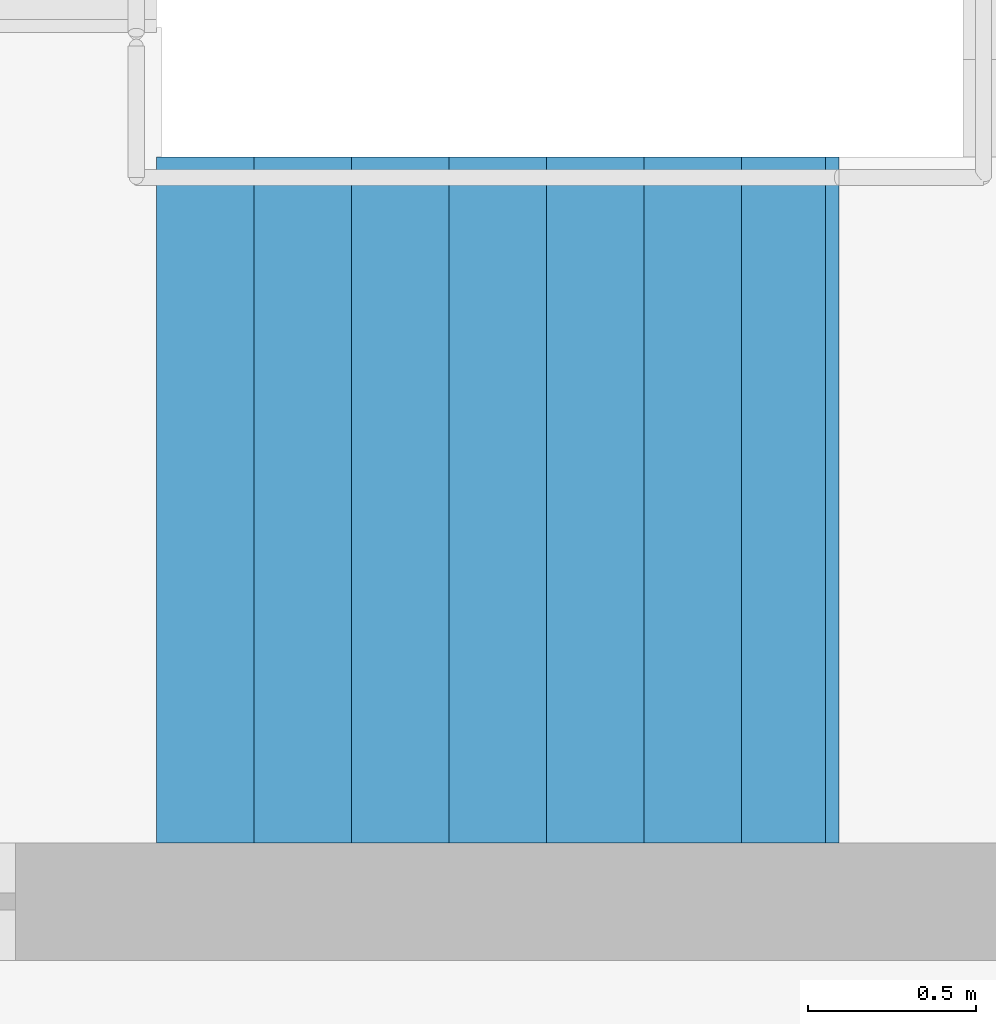
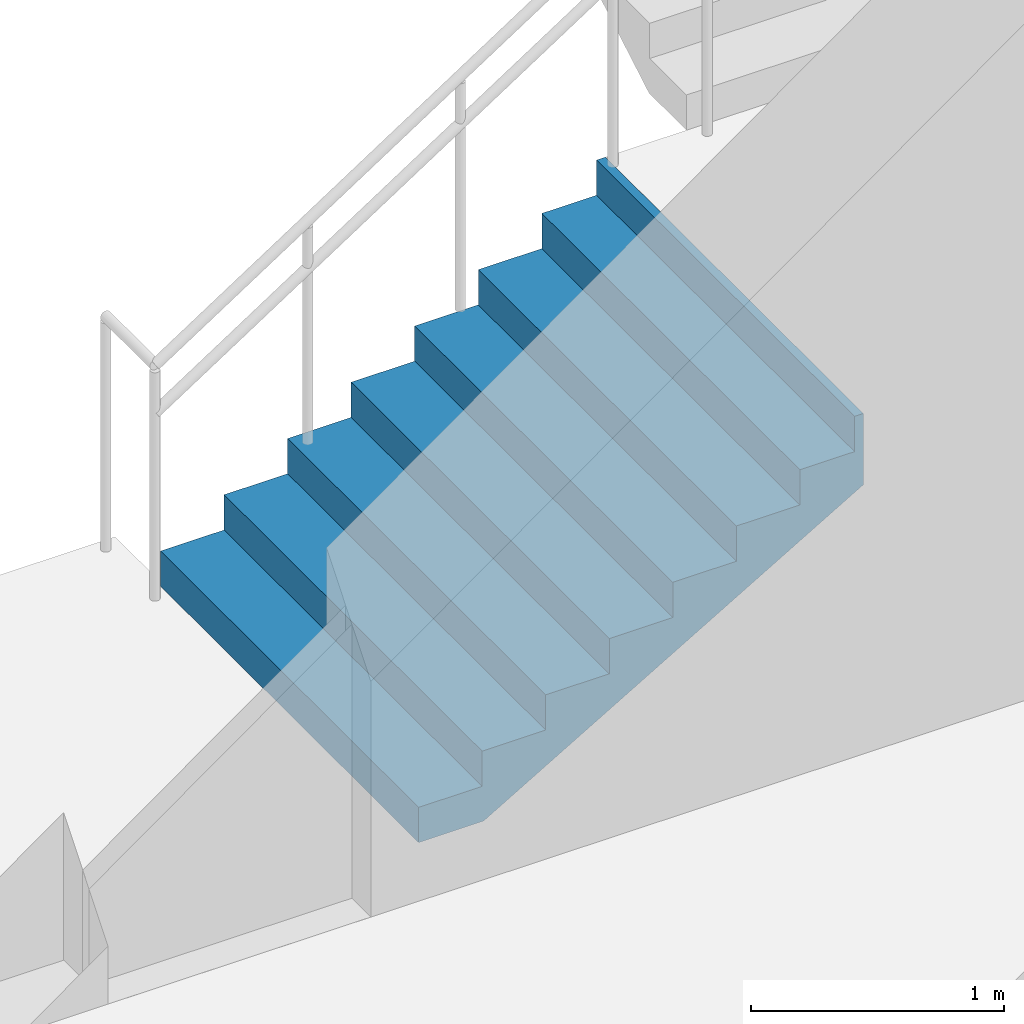
# One storey, part 63 of 74: 1 stair flight, 1 element without a shape of its own.
"""IFC4 building model written with IfcOpenShell, lengths in metres."""

from ifc_helpers import new_model, si_unit, direction, frame, origin, place, context, subcontext, project, spatial, triangles, material, type_object, element, aggregate, save


model = new_model("IFC4")

# Units and contexts
model_context = context("Model", 3, precision=1e-05, world=origin(), true_north=direction((0.0, 1.0)))
body_context = subcontext(model_context, "Body", "Model", "MODEL_VIEW")
ifc_project = project(units=[si_unit("LENGTHUNIT", "METRE"), si_unit("AREAUNIT", "SQUARE_METRE"), si_unit("VOLUMEUNIT", "CUBIC_METRE"), si_unit("PLANEANGLEUNIT", "RADIAN"), si_unit("MASSUNIT", "GRAM", prefix="KILO")], contexts=[model_context])

# Site, building, storey
site_placement = place(None, origin())
site = spatial("IfcSite", under=ifc_project, at=site_placement, CompositionType="ELEMENT")
building_placement = place(site_placement, origin())
building = spatial("IfcBuilding", under=site, at=building_placement, Name="Sillaruma Civic Art Gallery", CompositionType="ELEMENT")
storey_placement = place(building_placement, frame((0.0, 0.0, 5.43994140625)))
storey = spatial("IfcBuildingStorey", under=building, at=storey_placement, Name="L01", CompositionType="ELEMENT", Elevation=5.43994140625)

# Stair, stair flight
ifc_material = material(Name="Concrete H35 (35 MPa)", Category="concrete")
stair_type = type_object("IfcStairType", Name="STR-4F-32", PredefinedType="USERDEFINED", material=ifc_material)
stair_placement = place(storey_placement, origin())
stair = element("IfcStair", 1, at=stair_placement, inside=storey, type_object=stair_type, Name="Protected Exit Stair ST-02 (West Bar North) (L01)", ObjectType="THREE_RETURN_STAIR", PredefinedType="USERDEFINED")
stair_flight_type = type_object("IfcStairFlightType", Name="SFL-STR-8", PredefinedType="STRAIGHT", material=ifc_material)
stair_flight_placement = place(storey_placement, frame((64.800048828125, 81.929931640625, 0.0), z_axis=(0.0, 0.0, 1.0), x_axis=(1.0, 0.0, 0.0)))
stair_flight = element("IfcStairFlight", 2, at=stair_flight_placement, type_object=stair_flight_type, Name="ST-02 flight 1", NumberOfRisers=8, NumberOfTreads=7, PredefinedType="STRAIGHT", RiserHeight=0.17, TreadLength=0.29, context=body_context, shape_type="Tessellation", body=[
    triangles([(0.0, -1.02001953125, 0.0), (0.29, -1.02001953125, 0.0), (0.296443, -1.02001953125, 0.0), (0.58, -1.02001953125, 0.166223), (0.87, -1.02001953125, 0.336223), (1.16, -1.02001953125, 0.506223), (1.45, -1.02001953125, 0.676223), (1.74, -1.02001953125, 0.846223), (1.990029, -1.02001953125, 0.992792), (2.030029, -1.02001953125, 1.01624), (2.030029, -1.02001953125, 1.36), (1.990029, -1.02001953125, 1.36), (1.990029, -1.02001953125, 1.19), (1.74, -1.02001953125, 1.19), (1.74, -1.02001953125, 1.02), (1.45, -1.02001953125, 1.02), (1.45, -1.02001953125, 0.85), (1.16, -1.02001953125, 0.85), (1.16, -1.02001953125, 0.68), (0.87, -1.02001953125, 0.68), (0.87, -1.02001953125, 0.51), (0.58, -1.02001953125, 0.51), (0.58, -1.02001953125, 0.34), (0.296443, -1.02001953125, 0.34), (0.29, -1.02001953125, 0.34), (0.29, -1.02001953125, 0.17), (0.0, -1.02001953125, 0.17), (0.0, -0.05, 0.0), (0.29, -0.05, 0.0), (0.296443, -0.05, 0.0), (0.58, -0.05, 0.166223), (0.87, -0.05, 0.336223), (1.16, -0.05, 0.506223), (1.45, -0.05, 0.676223), (1.74, -0.05, 0.846223), (1.990029, -0.05, 0.992792), (2.030029, -0.05, 1.01624), (2.030029, -0.05, 1.36), (1.990029, -0.05, 1.36), (1.990029, -0.05, 1.19), (1.74, -0.05, 1.19), (1.74, -0.05, 1.02), (1.45, -0.05, 1.02), (1.45, -0.05, 0.85), (1.16, -0.05, 0.85), (1.16, -0.05, 0.68), (0.87, -0.05, 0.68), (0.87, -0.05, 0.51), (0.58, -0.05, 0.51), (0.58, -0.05, 0.34), (0.296443, -0.05, 0.34), (0.29, -0.05, 0.34), (0.29, -0.05, 0.17), (0.0, -0.05, 0.17), (0.0, -0.0375, 0.0), (0.29, -0.0375, 0.0), (0.296443, -0.0375, 0.0), (0.58, -0.0375, 0.166223), (0.87, -0.0375, 0.336223), (1.16, -0.0375, 0.506223), (1.45, -0.0375, 0.676223), (1.74, -0.0375, 0.846223), (1.990029, -0.0375, 0.992792), (2.030029, -0.0375, 1.01624), (2.030029, -0.0375, 1.36), (1.990029, -0.0375, 1.36), (1.990029, -0.0375, 1.19), (1.74, -0.0375, 1.19), (1.74, -0.0375, 1.02), (1.45, -0.0375, 1.02), (1.45, -0.0375, 0.85), (1.16, -0.0375, 0.85), (1.16, -0.0375, 0.68), (0.87, -0.0375, 0.68), (0.87, -0.0375, 0.51), (0.58, -0.0375, 0.51), (0.58, -0.0375, 0.34), (0.296443, -0.0375, 0.34), (0.29, -0.0375, 0.34), (0.29, -0.0375, 0.17), (0.0, -0.0375, 0.17), (0.0, -0.025, 0.0), (0.29, -0.025, 0.0), (0.296443, -0.025, 0.0), (0.58, -0.025, 0.166223), (0.87, -0.025, 0.336223), (1.16, -0.025, 0.506223), (1.45, -0.025, 0.676223), (1.74, -0.025, 0.846223), (1.990029, -0.025, 0.992792), (2.030029, -0.025, 1.01624), (2.030029, -0.025, 1.36), (1.990029, -0.025, 1.36), (1.990029, -0.025, 1.19), (1.74, -0.025, 1.19), (1.74, -0.025, 1.02), (1.45, -0.025, 1.02), (1.45, -0.025, 0.85), (1.16, -0.025, 0.85), (1.16, -0.025, 0.68), (0.87, -0.025, 0.68), (0.87, -0.025, 0.51), (0.58, -0.025, 0.51), (0.58, -0.025, 0.34), (0.296443, -0.025, 0.34), (0.29, -0.025, 0.34), (0.29, -0.025, 0.17), (0.0, -0.025, 0.17), (0.0, -0.0125, 0.0), (0.29, -0.0125, 0.0), (0.296443, -0.0125, 0.0), (0.58, -0.0125, 0.166223), (0.87, -0.0125, 0.336223), (1.16, -0.0125, 0.506223), (1.45, -0.0125, 0.676223), (1.74, -0.0125, 0.846223), (1.990029, -0.0125, 0.992792), (2.030029, -0.0125, 1.01624), (2.030029, -0.0125, 1.36), (1.990029, -0.0125, 1.36), (1.990029, -0.0125, 1.19), (1.74, -0.0125, 1.19), (1.74, -0.0125, 1.02), (1.45, -0.0125, 1.02), (1.45, -0.0125, 0.85), (1.16, -0.0125, 0.85), (1.16, -0.0125, 0.68), (0.87, -0.0125, 0.68), (0.87, -0.0125, 0.51), (0.58, -0.0125, 0.51), (0.58, -0.0125, 0.34), (0.296443, -0.0125, 0.34), (0.29, -0.0125, 0.34), (0.29, -0.0125, 0.17), (0.0, -0.0125, 0.17), (0.0, 0.0, 0.0), (0.29, 0.0, 0.0), (0.296443, 0.0, 0.0), (0.58, 0.0, 0.166223), (0.87, 0.0, 0.336223), (1.16, 0.0, 0.506223), (1.45, 0.0, 0.676223), (1.74, 0.0, 0.846223), (1.990029, 0.0, 0.992792), (2.030029, 0.0, 1.01624), (2.030029, 0.0, 1.36), (1.990029, 0.0, 1.36), (1.990029, 0.0, 1.19), (1.74, 0.0, 1.19), (1.74, 0.0, 1.02), (1.45, 0.0, 1.02), (1.45, 0.0, 0.85), (1.16, 0.0, 0.85), (1.16, 0.0, 0.68), (0.87, 0.0, 0.68), (0.87, 0.0, 0.51), (0.58, 0.0, 0.51), (0.58, 0.0, 0.34), (0.296443, 0.0, 0.34), (0.29, 0.0, 0.34), (0.29, 0.0, 0.17), (0.0, 0.0, 0.17), (0.0, 0.0125, 0.0), (0.29, 0.0125, 0.0), (0.296443, 0.0125, 0.0), (0.58, 0.0125, 0.166223), (0.87, 0.0125, 0.336223), (1.16, 0.0125, 0.506223), (1.45, 0.0125, 0.676223), (1.74, 0.0125, 0.846223), (1.990029, 0.0125, 0.992792), (2.030029, 0.0125, 1.01624), (2.030029, 0.0125, 1.36), (1.990029, 0.0125, 1.36), (1.990029, 0.0125, 1.19), (1.74, 0.0125, 1.19), (1.74, 0.0125, 1.02), (1.45, 0.0125, 1.02), (1.45, 0.0125, 0.85), (1.16, 0.0125, 0.85), (1.16, 0.0125, 0.68), (0.87, 0.0125, 0.68), (0.87, 0.0125, 0.51), (0.58, 0.0125, 0.51), (0.58, 0.0125, 0.34), (0.296443, 0.0125, 0.34), (0.29, 0.0125, 0.34), (0.29, 0.0125, 0.17), (0.0, 0.0125, 0.17), (0.0, 0.025, 0.0), (0.29, 0.025, 0.0), (0.296443, 0.025, 0.0), (0.58, 0.025, 0.166223), (0.87, 0.025, 0.336223), (1.16, 0.025, 0.506223), (1.45, 0.025, 0.676223), (1.74, 0.025, 0.846223), (1.990029, 0.025, 0.992792), (2.030029, 0.025, 1.01624), (2.030029, 0.025, 1.36), (1.990029, 0.025, 1.36), (1.990029, 0.025, 1.19), (1.74, 0.025, 1.19), (1.74, 0.025, 1.02), (1.45, 0.025, 1.02), (1.45, 0.025, 0.85), (1.16, 0.025, 0.85), (1.16, 0.025, 0.68), (0.87, 0.025, 0.68), (0.87, 0.025, 0.51), (0.58, 0.025, 0.51), (0.58, 0.025, 0.34), (0.296443, 0.025, 0.34), (0.29, 0.025, 0.34), (0.29, 0.025, 0.17), (0.0, 0.025, 0.17), (0.0, 0.0375, 0.0), (0.29, 0.0375, 0.0), (0.296443, 0.0375, 0.0), (0.58, 0.0375, 0.166223), (0.87, 0.0375, 0.336223), (1.16, 0.0375, 0.506223), (1.45, 0.0375, 0.676223), (1.74, 0.0375, 0.846223), (1.990029, 0.0375, 0.992792), (2.030029, 0.0375, 1.01624), (2.030029, 0.0375, 1.36), (1.990029, 0.0375, 1.36), (1.990029, 0.0375, 1.19), (1.74, 0.0375, 1.19), (1.74, 0.0375, 1.02), (1.45, 0.0375, 1.02), (1.45, 0.0375, 0.85), (1.16, 0.0375, 0.85), (1.16, 0.0375, 0.68), (0.87, 0.0375, 0.68), (0.87, 0.0375, 0.51), (0.58, 0.0375, 0.51), (0.58, 0.0375, 0.34), (0.296443, 0.0375, 0.34), (0.29, 0.0375, 0.34), (0.29, 0.0375, 0.17), (0.0, 0.0375, 0.17), (0.0, 0.05, 0.0), (0.29, 0.05, 0.0), (0.296443, 0.05, 0.0), (0.58, 0.05, 0.166223), (0.87, 0.05, 0.336223), (1.16, 0.05, 0.506223), (1.45, 0.05, 0.676223), (1.74, 0.05, 0.846223), (1.990029, 0.05, 0.992792), (2.030029, 0.05, 1.01624), (2.030029, 0.05, 1.36), (1.990029, 0.05, 1.36), (1.990029, 0.05, 1.19), (1.74, 0.05, 1.19), (1.74, 0.05, 1.02), (1.45, 0.05, 1.02), (1.45, 0.05, 0.85), (1.16, 0.05, 0.85), (1.16, 0.05, 0.68), (0.87, 0.05, 0.68), (0.87, 0.05, 0.51), (0.58, 0.05, 0.51), (0.58, 0.05, 0.34), (0.296443, 0.05, 0.34), (0.29, 0.05, 0.34), (0.29, 0.05, 0.17), (0.0, 0.05, 0.17), (0.0, 1.02001953125, 0.0), (0.29, 1.02001953125, 0.0), (0.296443, 1.02001953125, 0.0), (0.58, 1.02001953125, 0.166223), (0.87, 1.02001953125, 0.336223), (1.16, 1.02001953125, 0.506223), (1.45, 1.02001953125, 0.676223), (1.74, 1.02001953125, 0.846223), (1.990029, 1.02001953125, 0.992792), (2.030029, 1.02001953125, 1.01624), (2.030029, 1.02001953125, 1.36), (1.990029, 1.02001953125, 1.36), (1.990029, 1.02001953125, 1.19), (1.74, 1.02001953125, 1.19), (1.74, 1.02001953125, 1.02), (1.45, 1.02001953125, 1.02), (1.45, 1.02001953125, 0.85), (1.16, 1.02001953125, 0.85), (1.16, 1.02001953125, 0.68), (0.87, 1.02001953125, 0.68), (0.87, 1.02001953125, 0.51), (0.58, 1.02001953125, 0.51), (0.58, 1.02001953125, 0.34), (0.296443, 1.02001953125, 0.34), (0.29, 1.02001953125, 0.34), (0.29, 1.02001953125, 0.17), (0.0, 1.02001953125, 0.17)], [[1, 2, 26], [1, 26, 27], [2, 3, 24], [2, 24, 26], [26, 24, 25], [3, 4, 23], [3, 23, 24], [4, 5, 21], [4, 21, 23], [23, 21, 22], [5, 6, 19], [5, 19, 21], [21, 19, 20], [6, 7, 17], [6, 17, 19], [19, 17, 18], [7, 8, 15], [7, 15, 17], [17, 15, 16], [8, 9, 13], [8, 13, 15], [15, 13, 14], [9, 10, 11], [9, 11, 13], [13, 11, 12], [296, 272, 271], [297, 296, 271], [294, 273, 272], [296, 294, 272], [295, 294, 296], [293, 274, 273], [294, 293, 273], [291, 275, 274], [293, 291, 274], [292, 291, 293], [289, 276, 275], [291, 289, 275], [290, 289, 291], [287, 277, 276], [289, 287, 276], [288, 287, 289], [285, 278, 277], [287, 285, 277], [286, 285, 287], [283, 279, 278], [285, 283, 278], [284, 283, 285], [281, 280, 279], [283, 281, 279], [282, 281, 283], [2, 1, 28], [2, 28, 29], [3, 2, 29], [3, 29, 30], [4, 3, 30], [4, 30, 31], [5, 4, 31], [5, 31, 32], [6, 5, 32], [6, 32, 33], [7, 6, 33], [7, 33, 34], [8, 7, 34], [8, 34, 35], [9, 8, 35], [9, 35, 36], [10, 9, 36], [10, 36, 37], [11, 10, 37], [11, 37, 38], [12, 11, 38], [12, 38, 39], [13, 12, 39], [13, 39, 40], [14, 13, 40], [14, 40, 41], [15, 14, 41], [15, 41, 42], [16, 15, 42], [16, 42, 43], [17, 16, 43], [17, 43, 44], [18, 17, 44], [18, 44, 45], [19, 18, 45], [19, 45, 46], [20, 19, 46], [20, 46, 47], [21, 20, 47], [21, 47, 48], [22, 21, 48], [22, 48, 49], [23, 22, 49], [23, 49, 50], [24, 23, 50], [24, 50, 51], [25, 24, 51], [25, 51, 52], [26, 25, 52], [26, 52, 53], [27, 26, 53], [27, 53, 54], [1, 27, 54], [1, 54, 28], [29, 28, 55], [29, 55, 56], [30, 29, 56], [30, 56, 57], [31, 30, 57], [31, 57, 58], [32, 31, 58], [32, 58, 59], [33, 32, 59], [33, 59, 60], [34, 33, 60], [34, 60, 61], [35, 34, 61], [35, 61, 62], [36, 35, 62], [36, 62, 63], [37, 36, 63], [37, 63, 64], [38, 37, 64], [38, 64, 65], [39, 38, 65], [39, 65, 66], [40, 39, 66], [40, 66, 67], [41, 40, 67], [41, 67, 68], [42, 41, 68], [42, 68, 69], [43, 42, 69], [43, 69, 70], [44, 43, 70], [44, 70, 71], [45, 44, 71], [45, 71, 72], [46, 45, 72], [46, 72, 73], [47, 46, 73], [47, 73, 74], [48, 47, 74], [48, 74, 75], [49, 48, 75], [49, 75, 76], [50, 49, 76], [50, 76, 77], [51, 50, 77], [51, 77, 78], [52, 51, 78], [52, 78, 79], [53, 52, 79], [53, 79, 80], [54, 53, 80], [54, 80, 81], [28, 54, 81], [28, 81, 55], [56, 55, 82], [56, 82, 83], [57, 56, 83], [57, 83, 84], [58, 57, 84], [58, 84, 85], [59, 58, 85], [59, 85, 86], [60, 59, 86], [60, 86, 87], [61, 60, 87], [61, 87, 88], [62, 61, 88], [62, 88, 89], [63, 62, 89], [63, 89, 90], [64, 63, 90], [64, 90, 91], [65, 64, 91], [65, 91, 92], [66, 65, 92], [66, 92, 93], [67, 66, 93], [67, 93, 94], [68, 67, 94], [68, 94, 95], [69, 68, 95], [69, 95, 96], [70, 69, 96], [70, 96, 97], [71, 70, 97], [71, 97, 98], [72, 71, 98], [72, 98, 99], [73, 72, 99], [73, 99, 100], [74, 73, 100], [74, 100, 101], [75, 74, 101], [75, 101, 102], [76, 75, 102], [76, 102, 103], [77, 76, 103], [77, 103, 104], [78, 77, 104], [78, 104, 105], [79, 78, 105], [79, 105, 106], [80, 79, 106], [80, 106, 107], [81, 80, 107], [81, 107, 108], [55, 81, 108], [55, 108, 82], [83, 82, 109], [83, 109, 110], [84, 83, 110], [84, 110, 111], [85, 84, 111], [85, 111, 112], [86, 85, 112], [86, 112, 113], [87, 86, 113], [87, 113, 114], [88, 87, 114], [88, 114, 115], [89, 88, 115], [89, 115, 116], [90, 89, 116], [90, 116, 117], [91, 90, 117], [91, 117, 118], [92, 91, 118], [92, 118, 119], [93, 92, 119], [93, 119, 120], [94, 93, 120], [94, 120, 121], [95, 94, 121], [95, 121, 122], [96, 95, 122], [96, 122, 123], [97, 96, 123], [97, 123, 124], [98, 97, 124], [98, 124, 125], [99, 98, 125], [99, 125, 126], [100, 99, 126], [100, 126, 127], [101, 100, 127], [101, 127, 128], [102, 101, 128], [102, 128, 129], [103, 102, 129], [103, 129, 130], [104, 103, 130], [104, 130, 131], [105, 104, 131], [105, 131, 132], [106, 105, 132], [106, 132, 133], [107, 106, 133], [107, 133, 134], [108, 107, 134], [108, 134, 135], [82, 108, 135], [82, 135, 109], [110, 109, 136], [110, 136, 137], [111, 110, 137], [111, 137, 138], [112, 111, 138], [112, 138, 139], [113, 112, 139], [113, 139, 140], [114, 113, 140], [114, 140, 141], [115, 114, 141], [115, 141, 142], [116, 115, 142], [116, 142, 143], [117, 116, 143], [117, 143, 144], [118, 117, 144], [118, 144, 145], [119, 118, 145], [119, 145, 146], [120, 119, 146], [120, 146, 147], [121, 120, 147], [121, 147, 148], [122, 121, 148], [122, 148, 149], [123, 122, 149], [123, 149, 150], [124, 123, 150], [124, 150, 151], [125, 124, 151], [125, 151, 152], [126, 125, 152], [126, 152, 153], [127, 126, 153], [127, 153, 154], [128, 127, 154], [128, 154, 155], [129, 128, 155], [129, 155, 156], [130, 129, 156], [130, 156, 157], [131, 130, 157], [131, 157, 158], [132, 131, 158], [132, 158, 159], [133, 132, 159], [133, 159, 160], [134, 133, 160], [134, 160, 161], [135, 134, 161], [135, 161, 162], [109, 135, 162], [109, 162, 136], [137, 136, 163], [137, 163, 164], [138, 137, 164], [138, 164, 165], [139, 138, 165], [139, 165, 166], [140, 139, 166], [140, 166, 167], [141, 140, 167], [141, 167, 168], [142, 141, 168], [142, 168, 169], [143, 142, 169], [143, 169, 170], [144, 143, 170], [144, 170, 171], [145, 144, 171], [145, 171, 172], [146, 145, 172], [146, 172, 173], [147, 146, 173], [147, 173, 174], [148, 147, 174], [148, 174, 175], [149, 148, 175], [149, 175, 176], [150, 149, 176], [150, 176, 177], [151, 150, 177], [151, 177, 178], [152, 151, 178], [152, 178, 179], [153, 152, 179], [153, 179, 180], [154, 153, 180], [154, 180, 181], [155, 154, 181], [155, 181, 182], [156, 155, 182], [156, 182, 183], [157, 156, 183], [157, 183, 184], [158, 157, 184], [158, 184, 185], [159, 158, 185], [159, 185, 186], [160, 159, 186], [160, 186, 187], [161, 160, 187], [161, 187, 188], [162, 161, 188], [162, 188, 189], [136, 162, 189], [136, 189, 163], [164, 163, 190], [164, 190, 191], [165, 164, 191], [165, 191, 192], [166, 165, 192], [166, 192, 193], [167, 166, 193], [167, 193, 194], [168, 167, 194], [168, 194, 195], [169, 168, 195], [169, 195, 196], [170, 169, 196], [170, 196, 197], [171, 170, 197], [171, 197, 198], [172, 171, 198], [172, 198, 199], [173, 172, 199], [173, 199, 200], [174, 173, 200], [174, 200, 201], [175, 174, 201], [175, 201, 202], [176, 175, 202], [176, 202, 203], [177, 176, 203], [177, 203, 204], [178, 177, 204], [178, 204, 205], [179, 178, 205], [179, 205, 206], [180, 179, 206], [180, 206, 207], [181, 180, 207], [181, 207, 208], [182, 181, 208], [182, 208, 209], [183, 182, 209], [183, 209, 210], [184, 183, 210], [184, 210, 211], [185, 184, 211], [185, 211, 212], [186, 185, 212], [186, 212, 213], [187, 186, 213], [187, 213, 214], [188, 187, 214], [188, 214, 215], [189, 188, 215], [189, 215, 216], [163, 189, 216], [163, 216, 190], [191, 190, 217], [191, 217, 218], [192, 191, 218], [192, 218, 219], [193, 192, 219], [193, 219, 220], [194, 193, 220], [194, 220, 221], [195, 194, 221], [195, 221, 222], [196, 195, 222], [196, 222, 223], [197, 196, 223], [197, 223, 224], [198, 197, 224], [198, 224, 225], [199, 198, 225], [199, 225, 226], [200, 199, 226], [200, 226, 227], [201, 200, 227], [201, 227, 228], [202, 201, 228], [202, 228, 229], [203, 202, 229], [203, 229, 230], [204, 203, 230], [204, 230, 231], [205, 204, 231], [205, 231, 232], [206, 205, 232], [206, 232, 233], [207, 206, 233], [207, 233, 234], [208, 207, 234], [208, 234, 235], [209, 208, 235], [209, 235, 236], [210, 209, 236], [210, 236, 237], [211, 210, 237], [211, 237, 238], [212, 211, 238], [212, 238, 239], [213, 212, 239], [213, 239, 240], [214, 213, 240], [214, 240, 241], [215, 214, 241], [215, 241, 242], [216, 215, 242], [216, 242, 243], [190, 216, 243], [190, 243, 217], [218, 217, 244], [218, 244, 245], [219, 218, 245], [219, 245, 246], [220, 219, 246], [220, 246, 247], [221, 220, 247], [221, 247, 248], [222, 221, 248], [222, 248, 249], [223, 222, 249], [223, 249, 250], [224, 223, 250], [224, 250, 251], [225, 224, 251], [225, 251, 252], [226, 225, 252], [226, 252, 253], [227, 226, 253], [227, 253, 254], [228, 227, 254], [228, 254, 255], [229, 228, 255], [229, 255, 256], [230, 229, 256], [230, 256, 257], [231, 230, 257], [231, 257, 258], [232, 231, 258], [232, 258, 259], [233, 232, 259], [233, 259, 260], [234, 233, 260], [234, 260, 261], [235, 234, 261], [235, 261, 262], [236, 235, 262], [236, 262, 263], [237, 236, 263], [237, 263, 264], [238, 237, 264], [238, 264, 265], [239, 238, 265], [239, 265, 266], [240, 239, 266], [240, 266, 267], [241, 240, 267], [241, 267, 268], [242, 241, 268], [242, 268, 269], [243, 242, 269], [243, 269, 270], [217, 243, 270], [217, 270, 244], [245, 244, 271], [245, 271, 272], [246, 245, 272], [246, 272, 273], [247, 246, 273], [247, 273, 274], [248, 247, 274], [248, 274, 275], [249, 248, 275], [249, 275, 276], [250, 249, 276], [250, 276, 277], [251, 250, 277], [251, 277, 278], [252, 251, 278], [252, 278, 279], [253, 252, 279], [253, 279, 280], [254, 253, 280], [254, 280, 281], [255, 254, 281], [255, 281, 282], [256, 255, 282], [256, 282, 283], [257, 256, 283], [257, 283, 284], [258, 257, 284], [258, 284, 285], [259, 258, 285], [259, 285, 286], [260, 259, 286], [260, 286, 287], [261, 260, 287], [261, 287, 288], [262, 261, 288], [262, 288, 289], [263, 262, 289], [263, 289, 290], [264, 263, 290], [264, 290, 291], [265, 264, 291], [265, 291, 292], [266, 265, 292], [266, 292, 293], [267, 266, 293], [267, 293, 294], [268, 267, 294], [268, 294, 295], [269, 268, 295], [269, 295, 296], [270, 269, 296], [270, 296, 297], [244, 270, 297], [244, 297, 271]], closed=True),
])
aggregate(stair, [stair_flight])

save(model, "model.ifc")
